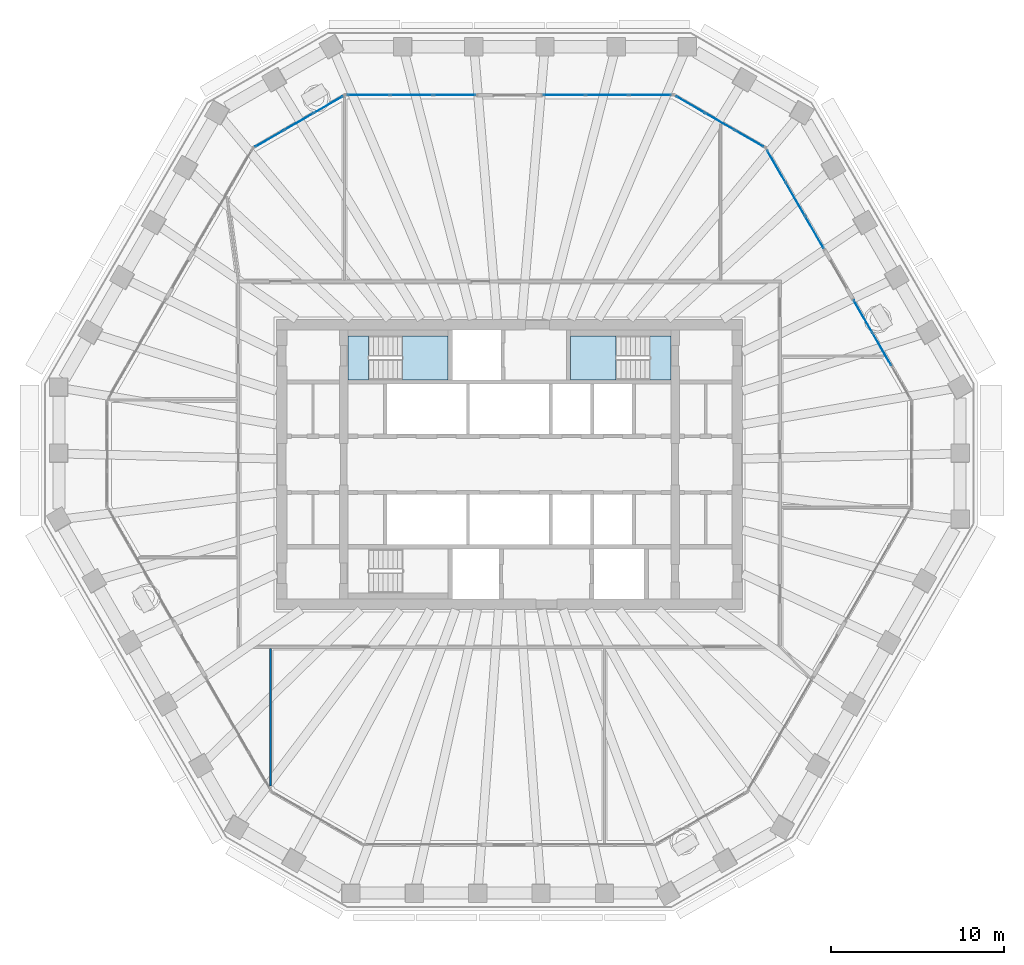
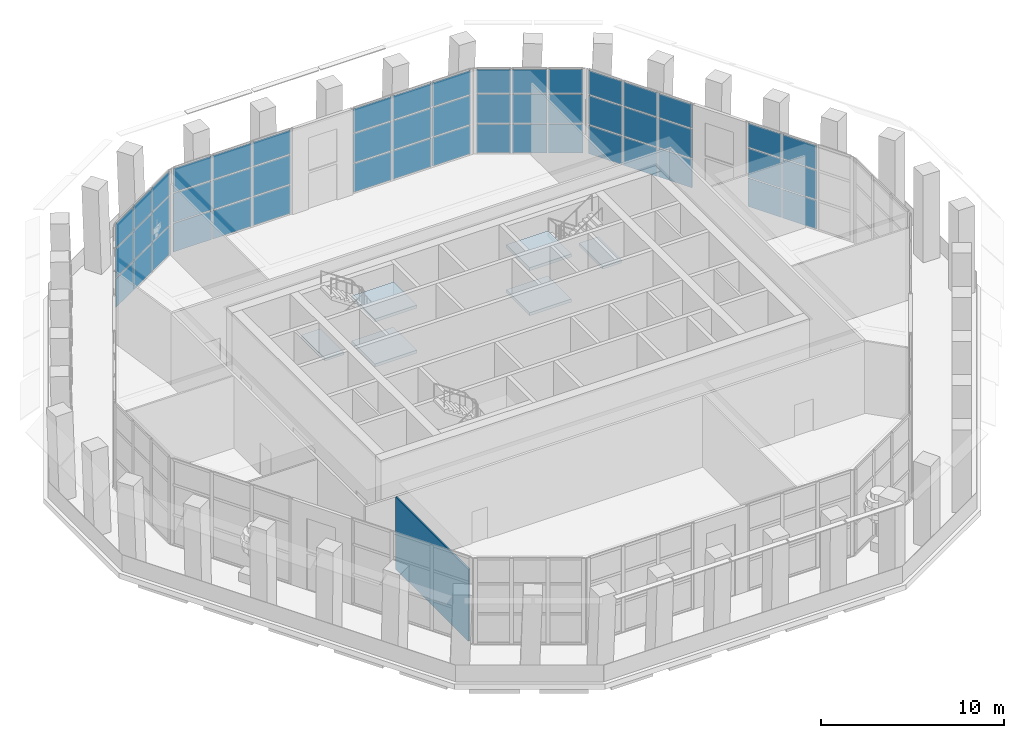
# One storey, part 11 of 19: 51 plates, 6 slabs, 1 wall, 8 elements without a shape of their own.
"""IFC4 building model written with IfcOpenShell, lengths in metres."""

from ifc_helpers import new_model, si_unit, direction, frame, frame_2d, origin, origin_2d, place, context, subcontext, project, spatial, polyline, rectangle, outline, extrude, material, layer, layer_set, type_object, element, aggregate, save


model = new_model("IFC4")

# Units and contexts
model_context = context("Model", 3, precision=1e-05, world=origin(), true_north=direction((0.0, 1.0)))
body_context = subcontext(model_context, "Body", "Model", "MODEL_VIEW")
ifc_project = project(units=[si_unit("LENGTHUNIT", "METRE"), si_unit("AREAUNIT", "SQUARE_METRE"), si_unit("VOLUMEUNIT", "CUBIC_METRE"), si_unit("PLANEANGLEUNIT", "RADIAN"), si_unit("MASSUNIT", "GRAM", prefix="KILO")], contexts=[model_context])

# Site, building, storey
site_placement = place(None, origin())
site = spatial("IfcSite", under=ifc_project, at=site_placement, CompositionType="ELEMENT")
building_placement = place(site_placement, origin())
building = spatial("IfcBuilding", under=site, at=building_placement, Name="Frailejon Research Tower", CompositionType="ELEMENT")
storey_placement = place(building_placement, frame((0.0, 0.0, 231.39990234375)))
storey = spatial("IfcBuildingStorey", under=building, at=storey_placement, Name="L50", CompositionType="ELEMENT", Elevation=231.39990234375)

# Curtain wall, plates
ifc_material_1 = material(Name="Aluminium curtain wall", Category="aluminium")
curtain_wall_type = type_object("IfcCurtainWallType", Name="Sky lobby curtain wall system", PredefinedType="NOTDEFINED", material=ifc_material_1)
curtain_wall_1_placement = place(storey_placement, origin())
curtain_wall_1 = element("IfcCurtainWall", 1, at=curtain_wall_1_placement, inside=storey, type_object=curtain_wall_type, Name="Curtain wall L50", PredefinedType="NOTDEFINED")
ifc_material_2 = material(Name="Clear laminated glass", Category="glass")
ifc_layer_1 = layer(ifc_material_2, 0.031982421875)
ifc_layer_set_1 = layer_set([ifc_layer_1], Name="Sky lobby curtain wall glass panel 32")
plate_type = type_object("IfcPlateType", Name="Sky lobby curtain wall glass panel 32", PredefinedType="CURTAIN_PANEL", material=ifc_layer_set_1)
plate_1_placement = place(storey_placement, frame((21.584228515625, 6.672119140625, 0.070068359375), z_axis=(0.0, 0.0, 1.0), x_axis=(-0.500000064178, 0.866025366731, 0.0)))
plate_1 = element("IfcPlate", 2, at=plate_1_placement, type_object=plate_type, Name="CW4-100 panel 2.1", PredefinedType="CURTAIN_PANEL", context=body_context, shape_type="SweptSolid", body=[
    extrude(rectangle(XDim=2.147216796875, YDim=0.031982421875, at=origin_2d()), origin(), (0.0, 0.0, 1.0), 1.89501953125),
])
plate_2_placement = place(storey_placement, frame((21.584228515625, 6.672119140625, 2.03515625), z_axis=(0.0, 0.0, 1.0), x_axis=(-0.500000064178, 0.866025366731, 0.0)))
plate_2 = element("IfcPlate", 3, at=plate_2_placement, type_object=plate_type, Name="CW4-100 panel 2.2", PredefinedType="CURTAIN_PANEL", context=body_context, shape_type="SweptSolid", body=[
    extrude(rectangle(XDim=2.147216796875, YDim=0.031982421875, at=origin_2d()), origin(), (0.0, 0.0, 1.0), 1.929931640625),
])
plate_3_placement = place(storey_placement, frame((21.584228515625, 6.672119140625, 4.03515625), z_axis=(0.0, 0.0, 1.0), x_axis=(-0.500000064178, 0.866025366731, 0.0)))
plate_3 = element("IfcPlate", 4, at=plate_3_placement, type_object=plate_type, Name="CW4-100 panel 2.3", PredefinedType="CURTAIN_PANEL", context=body_context, shape_type="SweptSolid", body=[
    extrude(rectangle(XDim=2.147216796875, YDim=0.031982421875, at=origin_2d()), origin(), (0.0, 0.0, 1.0), 1.594970703125),
])
plate_4_placement = place(storey_placement, frame((20.484375, 8.5771484375, 0.070068359375), z_axis=(0.0, 0.0, 1.0), x_axis=(-0.500000064178, 0.866025366731, 0.0)))
plate_4 = element("IfcPlate", 5, at=plate_4_placement, type_object=plate_type, Name="CW4-100 panel 3.1", PredefinedType="CURTAIN_PANEL", context=body_context, shape_type="SweptSolid", body=[
    extrude(rectangle(XDim=2.1123046875, YDim=0.031982421875, at=origin_2d()), origin(), (0.0, 0.0, 1.0), 1.89501953125),
])
plate_5_placement = place(storey_placement, frame((20.484375, 8.5771484375, 2.03515625), z_axis=(0.0, 0.0, 1.0), x_axis=(-0.500000064178, 0.866025366731, 0.0)))
plate_5 = element("IfcPlate", 6, at=plate_5_placement, type_object=plate_type, Name="CW4-100 panel 3.2", PredefinedType="CURTAIN_PANEL", context=body_context, shape_type="SweptSolid", body=[
    extrude(rectangle(XDim=2.1123046875, YDim=0.031982421875, at=origin_2d()), origin(), (0.0, 0.0, 1.0), 1.929931640625),
])
plate_6_placement = place(storey_placement, frame((20.484375, 8.5771484375, 4.03515625), z_axis=(0.0, 0.0, 1.0), x_axis=(-0.500000064178, 0.866025366731, 0.0)))
plate_6 = element("IfcPlate", 7, at=plate_6_placement, type_object=plate_type, Name="CW4-100 panel 3.3", PredefinedType="CURTAIN_PANEL", context=body_context, shape_type="SweptSolid", body=[
    extrude(rectangle(XDim=2.1123046875, YDim=0.031982421875, at=origin_2d()), origin(), (0.0, 0.0, 1.0), 1.594970703125),
])
aggregate(curtain_wall_1, [plate_1, plate_2, plate_3, plate_4, plate_5, plate_6])

curtain_wall_2_placement = place(storey_placement, origin())
curtain_wall_2 = element("IfcCurtainWall", 8, at=curtain_wall_2_placement, inside=storey, type_object=curtain_wall_type, Name="Curtain wall L50", PredefinedType="NOTDEFINED")
plate_7_placement = place(storey_placement, frame((17.670166015625, 13.451416015625, 0.070068359375), z_axis=(0.0, 0.0, 1.0), x_axis=(-0.500000064178, 0.866025366731, 0.0)))
plate_7 = element("IfcPlate", 9, at=plate_7_placement, type_object=plate_type, Name="CW4-101 panel 1.1", PredefinedType="CURTAIN_PANEL", context=body_context, shape_type="SweptSolid", body=[
    extrude(rectangle(XDim=2.1123046875, YDim=0.031982421875, at=origin_2d()), origin(), (0.0, 0.0, 1.0), 1.89501953125),
])
plate_8_placement = place(storey_placement, frame((17.670166015625, 13.451416015625, 2.03515625), z_axis=(0.0, 0.0, 1.0), x_axis=(-0.500000064178, 0.866025366731, 0.0)))
plate_8 = element("IfcPlate", 10, at=plate_8_placement, type_object=plate_type, Name="CW4-101 panel 1.2", PredefinedType="CURTAIN_PANEL", context=body_context, shape_type="SweptSolid", body=[
    extrude(rectangle(XDim=2.1123046875, YDim=0.031982421875, at=origin_2d()), origin(), (0.0, 0.0, 1.0), 1.929931640625),
])
plate_9_placement = place(storey_placement, frame((17.670166015625, 13.451416015625, 4.03515625), z_axis=(0.0, 0.0, 1.0), x_axis=(-0.500000064178, 0.866025366731, 0.0)))
plate_9 = element("IfcPlate", 11, at=plate_9_placement, type_object=plate_type, Name="CW4-101 panel 1.3", PredefinedType="CURTAIN_PANEL", context=body_context, shape_type="SweptSolid", body=[
    extrude(rectangle(XDim=2.1123046875, YDim=0.031982421875, at=origin_2d()), origin(), (0.0, 0.0, 1.0), 1.594970703125),
])
plate_10_placement = place(storey_placement, frame((16.5703125, 15.3564453125, 0.070068359375), z_axis=(0.0, 0.0, 1.0), x_axis=(-0.500000064178, 0.866025366731, 0.0)))
plate_10 = element("IfcPlate", 12, at=plate_10_placement, type_object=plate_type, Name="CW4-101 panel 2.1", PredefinedType="CURTAIN_PANEL", context=body_context, shape_type="SweptSolid", body=[
    extrude(rectangle(XDim=2.147216796875, YDim=0.031982421875, at=origin_2d()), origin(), (0.0, 0.0, 1.0), 1.89501953125),
])
plate_11_placement = place(storey_placement, frame((16.5703125, 15.3564453125, 2.03515625), z_axis=(0.0, 0.0, 1.0), x_axis=(-0.500000064178, 0.866025366731, 0.0)))
plate_11 = element("IfcPlate", 13, at=plate_11_placement, type_object=plate_type, Name="CW4-101 panel 2.2", PredefinedType="CURTAIN_PANEL", context=body_context, shape_type="SweptSolid", body=[
    extrude(rectangle(XDim=2.147216796875, YDim=0.031982421875, at=origin_2d()), origin(), (0.0, 0.0, 1.0), 1.929931640625),
])
plate_12_placement = place(storey_placement, frame((16.5703125, 15.3564453125, 4.03515625), z_axis=(0.0, 0.0, 1.0), x_axis=(-0.500000064178, 0.866025366731, 0.0)))
plate_12 = element("IfcPlate", 14, at=plate_12_placement, type_object=plate_type, Name="CW4-101 panel 2.3", PredefinedType="CURTAIN_PANEL", context=body_context, shape_type="SweptSolid", body=[
    extrude(rectangle(XDim=2.147216796875, YDim=0.031982421875, at=origin_2d()), origin(), (0.0, 0.0, 1.0), 1.594970703125),
])
plate_13_placement = place(storey_placement, frame((15.470458984375, 17.26171875, 0.070068359375), z_axis=(0.0, 0.0, 1.0), x_axis=(-0.500000064178, 0.866025366731, 0.0)))
plate_13 = element("IfcPlate", 15, at=plate_13_placement, type_object=plate_type, Name="CW4-101 panel 3.1", PredefinedType="CURTAIN_PANEL", context=body_context, shape_type="SweptSolid", body=[
    extrude(rectangle(XDim=2.1123046875, YDim=0.031982421875, at=origin_2d()), origin(), (0.0, 0.0, 1.0), 1.89501953125),
])
plate_14_placement = place(storey_placement, frame((15.470458984375, 17.26171875, 2.03515625), z_axis=(0.0, 0.0, 1.0), x_axis=(-0.500000064178, 0.866025366731, 0.0)))
plate_14 = element("IfcPlate", 16, at=plate_14_placement, type_object=plate_type, Name="CW4-101 panel 3.2", PredefinedType="CURTAIN_PANEL", context=body_context, shape_type="SweptSolid", body=[
    extrude(rectangle(XDim=2.1123046875, YDim=0.031982421875, at=origin_2d()), origin(), (0.0, 0.0, 1.0), 1.929931640625),
])
plate_15_placement = place(storey_placement, frame((15.470458984375, 17.26171875, 4.03515625), z_axis=(0.0, 0.0, 1.0), x_axis=(-0.500000064178, 0.866025366731, 0.0)))
plate_15 = element("IfcPlate", 17, at=plate_15_placement, type_object=plate_type, Name="CW4-101 panel 3.3", PredefinedType="CURTAIN_PANEL", context=body_context, shape_type="SweptSolid", body=[
    extrude(rectangle(XDim=2.1123046875, YDim=0.031982421875, at=origin_2d()), origin(), (0.0, 0.0, 1.0), 1.594970703125),
])
aggregate(curtain_wall_2, [plate_7, plate_8, plate_9, plate_10, plate_11, plate_12, plate_13, plate_14, plate_15])

curtain_wall_3_placement = place(storey_placement, origin())
curtain_wall_3 = element("IfcCurtainWall", 18, at=curtain_wall_3_placement, inside=storey, type_object=curtain_wall_type, Name="Curtain wall L50", PredefinedType="NOTDEFINED")
plate_16_placement = place(storey_placement, frame((13.896240234375, 18.87841796875, 0.070068359375), z_axis=(0.0, 0.0, 1.0), x_axis=(-0.866019136623, 0.500010854885, 0.0)))
plate_16 = element("IfcPlate", 19, at=plate_16_placement, type_object=plate_type, Name="CW4-102 panel 1.1", PredefinedType="CURTAIN_PANEL", context=body_context, shape_type="SweptSolid", body=[
    extrude(rectangle(XDim=1.87939453125, YDim=0.031982421875, at=origin_2d()), origin(), (0.0, 0.0, 1.0), 1.89501953125),
])
plate_17_placement = place(storey_placement, frame((13.896240234375, 18.87841796875, 2.03515625), z_axis=(0.0, 0.0, 1.0), x_axis=(-0.866019136623, 0.500010854885, 0.0)))
plate_17 = element("IfcPlate", 20, at=plate_17_placement, type_object=plate_type, Name="CW4-102 panel 1.2", PredefinedType="CURTAIN_PANEL", context=body_context, shape_type="SweptSolid", body=[
    extrude(rectangle(XDim=1.87939453125, YDim=0.031982421875, at=origin_2d()), origin(), (0.0, 0.0, 1.0), 1.929931640625),
])
plate_18_placement = place(storey_placement, frame((13.896240234375, 18.87841796875, 4.03515625), z_axis=(0.0, 0.0, 1.0), x_axis=(-0.866019136623, 0.500010854885, 0.0)))
plate_18 = element("IfcPlate", 21, at=plate_18_placement, type_object=plate_type, Name="CW4-102 panel 1.3", PredefinedType="CURTAIN_PANEL", context=body_context, shape_type="SweptSolid", body=[
    extrude(rectangle(XDim=1.87939453125, YDim=0.031982421875, at=origin_2d()), origin(), (0.0, 0.0, 1.0), 1.594970703125),
])
plate_19_placement = place(storey_placement, frame((12.19287109375, 19.86181640625, 0.070068359375), z_axis=(0.0, 0.0, 1.0), x_axis=(-0.866019136623, 0.500010854885, 0.0)))
plate_19 = element("IfcPlate", 22, at=plate_19_placement, type_object=plate_type, Name="CW4-102 panel 2.1", PredefinedType="CURTAIN_PANEL", context=body_context, shape_type="SweptSolid", body=[
    extrude(rectangle(XDim=1.914306640625, YDim=0.031982421875, at=origin_2d()), origin(), (0.0, 0.0, 1.0), 1.89501953125),
])
plate_20_placement = place(storey_placement, frame((12.19287109375, 19.86181640625, 2.03515625), z_axis=(0.0, 0.0, 1.0), x_axis=(-0.866019136623, 0.500010854885, 0.0)))
plate_20 = element("IfcPlate", 23, at=plate_20_placement, type_object=plate_type, Name="CW4-102 panel 2.2", PredefinedType="CURTAIN_PANEL", context=body_context, shape_type="SweptSolid", body=[
    extrude(rectangle(XDim=1.914306640625, YDim=0.031982421875, at=origin_2d()), origin(), (0.0, 0.0, 1.0), 1.929931640625),
])
plate_21_placement = place(storey_placement, frame((12.19287109375, 19.86181640625, 4.03515625), z_axis=(0.0, 0.0, 1.0), x_axis=(-0.866019136623, 0.500010854885, 0.0)))
plate_21 = element("IfcPlate", 24, at=plate_21_placement, type_object=plate_type, Name="CW4-102 panel 2.3", PredefinedType="CURTAIN_PANEL", context=body_context, shape_type="SweptSolid", body=[
    extrude(rectangle(XDim=1.914306640625, YDim=0.031982421875, at=origin_2d()), origin(), (0.0, 0.0, 1.0), 1.594970703125),
])
plate_22_placement = place(storey_placement, frame((10.48974609375, 20.84521484375, 0.070068359375), z_axis=(0.0, 0.0, 1.0), x_axis=(-0.866019136623, 0.500010854885, 0.0)))
plate_22 = element("IfcPlate", 25, at=plate_22_placement, type_object=plate_type, Name="CW4-102 panel 3.1", PredefinedType="CURTAIN_PANEL", context=body_context, shape_type="SweptSolid", body=[
    extrude(rectangle(XDim=1.87939453125, YDim=0.031982421875, at=origin_2d()), origin(), (0.0, 0.0, 1.0), 1.89501953125),
])
plate_23_placement = place(storey_placement, frame((10.48974609375, 20.84521484375, 2.03515625), z_axis=(0.0, 0.0, 1.0), x_axis=(-0.866019136623, 0.500010854885, 0.0)))
plate_23 = element("IfcPlate", 26, at=plate_23_placement, type_object=plate_type, Name="CW4-102 panel 3.2", PredefinedType="CURTAIN_PANEL", context=body_context, shape_type="SweptSolid", body=[
    extrude(rectangle(XDim=1.87939453125, YDim=0.031982421875, at=origin_2d()), origin(), (0.0, 0.0, 1.0), 1.929931640625),
])
plate_24_placement = place(storey_placement, frame((10.48974609375, 20.84521484375, 4.03515625), z_axis=(0.0, 0.0, 1.0), x_axis=(-0.866019136623, 0.500010854885, 0.0)))
plate_24 = element("IfcPlate", 27, at=plate_24_placement, type_object=plate_type, Name="CW4-102 panel 3.3", PredefinedType="CURTAIN_PANEL", context=body_context, shape_type="SweptSolid", body=[
    extrude(rectangle(XDim=1.87939453125, YDim=0.031982421875, at=origin_2d()), origin(), (0.0, 0.0, 1.0), 1.594970703125),
])
aggregate(curtain_wall_3, [plate_16, plate_17, plate_18, plate_19, plate_20, plate_21, plate_22, plate_23, plate_24])

curtain_wall_4_placement = place(storey_placement, origin())
curtain_wall_4 = element("IfcCurtainWall", 28, at=curtain_wall_4_placement, inside=storey, type_object=curtain_wall_type, Name="Curtain wall L50", PredefinedType="NOTDEFINED")
plate_25_placement = place(storey_placement, frame((8.157470703125, 21.39990234375, 0.070068359375), z_axis=(0.0, 0.0, 1.0), x_axis=(-1.0, 0.0, 0.0)))
plate_25 = element("IfcPlate", 29, at=plate_25_placement, type_object=plate_type, Name="CW4-103 panel 1.1", PredefinedType="CURTAIN_PANEL", context=body_context, shape_type="SweptSolid", body=[
    extrude(rectangle(XDim=2.402587890625, YDim=0.031982421875, at=origin_2d()), origin(), (0.0, 0.0, 1.0), 1.89501953125),
])
plate_26_placement = place(storey_placement, frame((8.157470703125, 21.39990234375, 2.03515625), z_axis=(0.0, 0.0, 1.0), x_axis=(-1.0, 0.0, 0.0)))
plate_26 = element("IfcPlate", 30, at=plate_26_placement, type_object=plate_type, Name="CW4-103 panel 1.2", PredefinedType="CURTAIN_PANEL", context=body_context, shape_type="SweptSolid", body=[
    extrude(rectangle(XDim=2.402587890625, YDim=0.031982421875, at=origin_2d()), origin(), (0.0, 0.0, 1.0), 1.929931640625),
])
plate_27_placement = place(storey_placement, frame((8.157470703125, 21.39990234375, 4.03515625), z_axis=(0.0, 0.0, 1.0), x_axis=(-1.0, 0.0, 0.0)))
plate_27 = element("IfcPlate", 31, at=plate_27_placement, type_object=plate_type, Name="CW4-103 panel 1.3", PredefinedType="CURTAIN_PANEL", context=body_context, shape_type="SweptSolid", body=[
    extrude(rectangle(XDim=2.402587890625, YDim=0.031982421875, at=origin_2d()), origin(), (0.0, 0.0, 1.0), 1.594970703125),
])
plate_28_placement = place(storey_placement, frame((5.667236328125, 21.39990234375, 0.070068359375), z_axis=(0.0, 0.0, 1.0), x_axis=(-1.0, 0.0, 0.0)))
plate_28 = element("IfcPlate", 32, at=plate_28_placement, type_object=plate_type, Name="CW4-103 panel 2.1", PredefinedType="CURTAIN_PANEL", context=body_context, shape_type="SweptSolid", body=[
    extrude(rectangle(XDim=2.437744140625, YDim=0.031982421875, at=origin_2d()), origin(), (0.0, 0.0, 1.0), 1.89501953125),
])
plate_29_placement = place(storey_placement, frame((5.667236328125, 21.39990234375, 2.03515625), z_axis=(0.0, 0.0, 1.0), x_axis=(-1.0, 0.0, 0.0)))
plate_29 = element("IfcPlate", 33, at=plate_29_placement, type_object=plate_type, Name="CW4-103 panel 2.2", PredefinedType="CURTAIN_PANEL", context=body_context, shape_type="SweptSolid", body=[
    extrude(rectangle(XDim=2.437744140625, YDim=0.031982421875, at=origin_2d()), origin(), (0.0, 0.0, 1.0), 1.929931640625),
])
plate_30_placement = place(storey_placement, frame((5.667236328125, 21.39990234375, 4.03515625), z_axis=(0.0, 0.0, 1.0), x_axis=(-1.0, 0.0, 0.0)))
plate_30 = element("IfcPlate", 34, at=plate_30_placement, type_object=plate_type, Name="CW4-103 panel 2.3", PredefinedType="CURTAIN_PANEL", context=body_context, shape_type="SweptSolid", body=[
    extrude(rectangle(XDim=2.437744140625, YDim=0.031982421875, at=origin_2d()), origin(), (0.0, 0.0, 1.0), 1.594970703125),
])
plate_31_placement = place(storey_placement, frame((3.177001953125, 21.39990234375, 0.070068359375), z_axis=(0.0, 0.0, 1.0), x_axis=(-1.0, 0.0, 0.0)))
plate_31 = element("IfcPlate", 35, at=plate_31_placement, type_object=plate_type, Name="CW4-103 panel 3.1", PredefinedType="CURTAIN_PANEL", context=body_context, shape_type="SweptSolid", body=[
    extrude(rectangle(XDim=2.402587890625, YDim=0.031982421875, at=origin_2d()), origin(), (0.0, 0.0, 1.0), 1.89501953125),
])
plate_32_placement = place(storey_placement, frame((3.177001953125, 21.39990234375, 2.03515625), z_axis=(0.0, 0.0, 1.0), x_axis=(-1.0, 0.0, 0.0)))
plate_32 = element("IfcPlate", 36, at=plate_32_placement, type_object=plate_type, Name="CW4-103 panel 3.2", PredefinedType="CURTAIN_PANEL", context=body_context, shape_type="SweptSolid", body=[
    extrude(rectangle(XDim=2.402587890625, YDim=0.031982421875, at=origin_2d()), origin(), (0.0, 0.0, 1.0), 1.929931640625),
])
plate_33_placement = place(storey_placement, frame((3.177001953125, 21.39990234375, 4.03515625), z_axis=(0.0, 0.0, 1.0), x_axis=(-1.0, 0.0, 0.0)))
plate_33 = element("IfcPlate", 37, at=plate_33_placement, type_object=plate_type, Name="CW4-103 panel 3.3", PredefinedType="CURTAIN_PANEL", context=body_context, shape_type="SweptSolid", body=[
    extrude(rectangle(XDim=2.402587890625, YDim=0.031982421875, at=origin_2d()), origin(), (0.0, 0.0, 1.0), 1.594970703125),
])
aggregate(curtain_wall_4, [plate_25, plate_26, plate_27, plate_28, plate_29, plate_30, plate_31, plate_32, plate_33])

curtain_wall_5_placement = place(storey_placement, origin())
curtain_wall_5 = element("IfcCurtainWall", 38, at=curtain_wall_5_placement, inside=storey, type_object=curtain_wall_type, Name="Curtain wall L50", PredefinedType="NOTDEFINED")
plate_34_placement = place(storey_placement, frame((-3.177001953125, 21.39990234375, 0.070068359375), z_axis=(0.0, 0.0, 1.0), x_axis=(-1.0, 0.0, 0.0)))
plate_34 = element("IfcPlate", 39, at=plate_34_placement, type_object=plate_type, Name="CW4-104 panel 1.1", PredefinedType="CURTAIN_PANEL", context=body_context, shape_type="SweptSolid", body=[
    extrude(rectangle(XDim=2.402587890625, YDim=0.031982421875, at=origin_2d()), origin(), (0.0, 0.0, 1.0), 1.89501953125),
])
plate_35_placement = place(storey_placement, frame((-3.177001953125, 21.39990234375, 2.03515625), z_axis=(0.0, 0.0, 1.0), x_axis=(-1.0, 0.0, 0.0)))
plate_35 = element("IfcPlate", 40, at=plate_35_placement, type_object=plate_type, Name="CW4-104 panel 1.2", PredefinedType="CURTAIN_PANEL", context=body_context, shape_type="SweptSolid", body=[
    extrude(rectangle(XDim=2.402587890625, YDim=0.031982421875, at=origin_2d()), origin(), (0.0, 0.0, 1.0), 1.929931640625),
])
plate_36_placement = place(storey_placement, frame((-3.177001953125, 21.39990234375, 4.03515625), z_axis=(0.0, 0.0, 1.0), x_axis=(-1.0, 0.0, 0.0)))
plate_36 = element("IfcPlate", 41, at=plate_36_placement, type_object=plate_type, Name="CW4-104 panel 1.3", PredefinedType="CURTAIN_PANEL", context=body_context, shape_type="SweptSolid", body=[
    extrude(rectangle(XDim=2.402587890625, YDim=0.031982421875, at=origin_2d()), origin(), (0.0, 0.0, 1.0), 1.594970703125),
])
plate_37_placement = place(storey_placement, frame((-5.667236328125, 21.39990234375, 0.070068359375), z_axis=(0.0, 0.0, 1.0), x_axis=(-1.0, 0.0, 0.0)))
plate_37 = element("IfcPlate", 42, at=plate_37_placement, type_object=plate_type, Name="CW4-104 panel 2.1", PredefinedType="CURTAIN_PANEL", context=body_context, shape_type="SweptSolid", body=[
    extrude(rectangle(XDim=2.437744140625, YDim=0.031982421875, at=origin_2d()), origin(), (0.0, 0.0, 1.0), 1.89501953125),
])
plate_38_placement = place(storey_placement, frame((-5.667236328125, 21.39990234375, 2.03515625), z_axis=(0.0, 0.0, 1.0), x_axis=(-1.0, 0.0, 0.0)))
plate_38 = element("IfcPlate", 43, at=plate_38_placement, type_object=plate_type, Name="CW4-104 panel 2.2", PredefinedType="CURTAIN_PANEL", context=body_context, shape_type="SweptSolid", body=[
    extrude(rectangle(XDim=2.437744140625, YDim=0.031982421875, at=origin_2d()), origin(), (0.0, 0.0, 1.0), 1.929931640625),
])
plate_39_placement = place(storey_placement, frame((-5.667236328125, 21.39990234375, 4.03515625), z_axis=(0.0, 0.0, 1.0), x_axis=(-1.0, 0.0, 0.0)))
plate_39 = element("IfcPlate", 44, at=plate_39_placement, type_object=plate_type, Name="CW4-104 panel 2.3", PredefinedType="CURTAIN_PANEL", context=body_context, shape_type="SweptSolid", body=[
    extrude(rectangle(XDim=2.437744140625, YDim=0.031982421875, at=origin_2d()), origin(), (0.0, 0.0, 1.0), 1.594970703125),
])
plate_40_placement = place(storey_placement, frame((-8.157470703125, 21.39990234375, 0.070068359375), z_axis=(0.0, 0.0, 1.0), x_axis=(-1.0, 0.0, 0.0)))
plate_40 = element("IfcPlate", 45, at=plate_40_placement, type_object=plate_type, Name="CW4-104 panel 3.1", PredefinedType="CURTAIN_PANEL", context=body_context, shape_type="SweptSolid", body=[
    extrude(rectangle(XDim=2.402587890625, YDim=0.031982421875, at=origin_2d()), origin(), (0.0, 0.0, 1.0), 1.89501953125),
])
plate_41_placement = place(storey_placement, frame((-8.157470703125, 21.39990234375, 2.03515625), z_axis=(0.0, 0.0, 1.0), x_axis=(-1.0, 0.0, 0.0)))
plate_41 = element("IfcPlate", 46, at=plate_41_placement, type_object=plate_type, Name="CW4-104 panel 3.2", PredefinedType="CURTAIN_PANEL", context=body_context, shape_type="SweptSolid", body=[
    extrude(rectangle(XDim=2.402587890625, YDim=0.031982421875, at=origin_2d()), origin(), (0.0, 0.0, 1.0), 1.929931640625),
])
plate_42_placement = place(storey_placement, frame((-8.157470703125, 21.39990234375, 4.03515625), z_axis=(0.0, 0.0, 1.0), x_axis=(-1.0, 0.0, 0.0)))
plate_42 = element("IfcPlate", 47, at=plate_42_placement, type_object=plate_type, Name="CW4-104 panel 3.3", PredefinedType="CURTAIN_PANEL", context=body_context, shape_type="SweptSolid", body=[
    extrude(rectangle(XDim=2.402587890625, YDim=0.031982421875, at=origin_2d()), origin(), (0.0, 0.0, 1.0), 1.594970703125),
])
aggregate(curtain_wall_5, [plate_34, plate_35, plate_36, plate_37, plate_38, plate_39, plate_40, plate_41, plate_42])

curtain_wall_6_placement = place(storey_placement, origin())
curtain_wall_6 = element("IfcCurtainWall", 48, at=curtain_wall_6_placement, inside=storey, type_object=curtain_wall_type, Name="Curtain wall L50", PredefinedType="NOTDEFINED")
plate_43_placement = place(storey_placement, frame((-10.48974609375, 20.84521484375, 0.070068359375), z_axis=(0.0, 0.0, 1.0), x_axis=(-0.866019136623, -0.500010854885, 0.0)))
plate_43 = element("IfcPlate", 49, at=plate_43_placement, type_object=plate_type, Name="CW4-105 panel 1.1", PredefinedType="CURTAIN_PANEL", context=body_context, shape_type="SweptSolid", body=[
    extrude(rectangle(XDim=1.87939453125, YDim=0.031982421875, at=origin_2d()), origin(), (0.0, 0.0, 1.0), 1.89501953125),
])
plate_44_placement = place(storey_placement, frame((-10.48974609375, 20.84521484375, 2.03515625), z_axis=(0.0, 0.0, 1.0), x_axis=(-0.866019136623, -0.500010854885, 0.0)))
plate_44 = element("IfcPlate", 50, at=plate_44_placement, type_object=plate_type, Name="CW4-105 panel 1.2", PredefinedType="CURTAIN_PANEL", context=body_context, shape_type="SweptSolid", body=[
    extrude(rectangle(XDim=1.87939453125, YDim=0.031982421875, at=origin_2d()), origin(), (0.0, 0.0, 1.0), 1.929931640625),
])
plate_45_placement = place(storey_placement, frame((-10.48974609375, 20.84521484375, 4.03515625), z_axis=(0.0, 0.0, 1.0), x_axis=(-0.866019136623, -0.500010854885, 0.0)))
plate_45 = element("IfcPlate", 51, at=plate_45_placement, type_object=plate_type, Name="CW4-105 panel 1.3", PredefinedType="CURTAIN_PANEL", context=body_context, shape_type="SweptSolid", body=[
    extrude(rectangle(XDim=1.87939453125, YDim=0.031982421875, at=origin_2d()), origin(), (0.0, 0.0, 1.0), 1.594970703125),
])
plate_46_placement = place(storey_placement, frame((-12.19287109375, 19.86181640625, 0.070068359375), z_axis=(0.0, 0.0, 1.0), x_axis=(-0.866019136623, -0.500010854885, 0.0)))
plate_46 = element("IfcPlate", 52, at=plate_46_placement, type_object=plate_type, Name="CW4-105 panel 2.1", PredefinedType="CURTAIN_PANEL", context=body_context, shape_type="SweptSolid", body=[
    extrude(rectangle(XDim=1.914306640625, YDim=0.031982421875, at=origin_2d()), origin(), (0.0, 0.0, 1.0), 1.89501953125),
])
plate_47_placement = place(storey_placement, frame((-12.19287109375, 19.86181640625, 2.03515625), z_axis=(0.0, 0.0, 1.0), x_axis=(-0.866019136623, -0.500010854885, 0.0)))
plate_47 = element("IfcPlate", 53, at=plate_47_placement, type_object=plate_type, Name="CW4-105 panel 2.2", PredefinedType="CURTAIN_PANEL", context=body_context, shape_type="SweptSolid", body=[
    extrude(rectangle(XDim=1.914306640625, YDim=0.031982421875, at=origin_2d()), origin(), (0.0, 0.0, 1.0), 1.929931640625),
])
plate_48_placement = place(storey_placement, frame((-12.19287109375, 19.86181640625, 4.03515625), z_axis=(0.0, 0.0, 1.0), x_axis=(-0.866019136623, -0.500010854885, 0.0)))
plate_48 = element("IfcPlate", 54, at=plate_48_placement, type_object=plate_type, Name="CW4-105 panel 2.3", PredefinedType="CURTAIN_PANEL", context=body_context, shape_type="SweptSolid", body=[
    extrude(rectangle(XDim=1.914306640625, YDim=0.031982421875, at=origin_2d()), origin(), (0.0, 0.0, 1.0), 1.594970703125),
])
plate_49_placement = place(storey_placement, frame((-13.896240234375, 18.87841796875, 0.070068359375), z_axis=(0.0, 0.0, 1.0), x_axis=(-0.866019136623, -0.500010854885, 0.0)))
plate_49 = element("IfcPlate", 55, at=plate_49_placement, type_object=plate_type, Name="CW4-105 panel 3.1", PredefinedType="CURTAIN_PANEL", context=body_context, shape_type="SweptSolid", body=[
    extrude(rectangle(XDim=1.87939453125, YDim=0.031982421875, at=origin_2d()), origin(), (0.0, 0.0, 1.0), 1.89501953125),
])
plate_50_placement = place(storey_placement, frame((-13.896240234375, 18.87841796875, 2.03515625), z_axis=(0.0, 0.0, 1.0), x_axis=(-0.866019136623, -0.500010854885, 0.0)))
plate_50 = element("IfcPlate", 56, at=plate_50_placement, type_object=plate_type, Name="CW4-105 panel 3.2", PredefinedType="CURTAIN_PANEL", context=body_context, shape_type="SweptSolid", body=[
    extrude(rectangle(XDim=1.87939453125, YDim=0.031982421875, at=origin_2d()), origin(), (0.0, 0.0, 1.0), 1.929931640625),
])
plate_51_placement = place(storey_placement, frame((-13.896240234375, 18.87841796875, 4.03515625), z_axis=(0.0, 0.0, 1.0), x_axis=(-0.866019136623, -0.500010854885, 0.0)))
plate_51 = element("IfcPlate", 57, at=plate_51_placement, type_object=plate_type, Name="CW4-105 panel 3.3", PredefinedType="CURTAIN_PANEL", context=body_context, shape_type="SweptSolid", body=[
    extrude(rectangle(XDim=1.87939453125, YDim=0.031982421875, at=origin_2d()), origin(), (0.0, 0.0, 1.0), 1.594970703125),
])
aggregate(curtain_wall_6, [plate_43, plate_44, plate_45, plate_46, plate_47, plate_48, plate_49, plate_50, plate_51])

# Stair, slabs
ifc_material_3 = material(Name="Concrete C50/60", Category="concrete")
stair_type = type_object("IfcStairType", Name="Exit stair 32 risers", PredefinedType="HALF_TURN_STAIR", material=ifc_material_3)
stair_1_placement = place(storey_placement, origin())
stair_1 = element("IfcStair", 58, at=stair_1_placement, inside=storey, type_object=stair_type, Name="L50 Exit stair ST1", PredefinedType="HALF_TURN_STAIR")
ifc_material_4 = material(Name="Concrete C50/60", Category="concrete")
ifc_layer_2 = layer(ifc_material_4, 0.199951171875)
ifc_layer_set_2 = layer_set([ifc_layer_2], Name="Stair landing slab 200")
slab_type = type_object("IfcSlabType", Name="Stair landing slab 200", PredefinedType="LANDING", material=ifc_layer_set_2)
slab_1_placement = place(storey_placement, frame((0.0, 0.0, 1.300048828125)))
slab_1 = element("IfcSlab", 59, at=slab_1_placement, type_object=slab_type, Name="ST1 landing 1", PredefinedType="LANDING", context=body_context, shape_type="SweptSolid", body=[
    extrude(outline(polyline([(-6.18994140625, 4.89990234375), (-3.550048828125, 4.89990234375), (-3.550048828125, 7.449951171875), (-6.18994140625, 7.449951171875), (-6.18994140625, 4.89990234375)])), origin(), (0.0, 0.0, 1.0), 0.199951171875),
])
slab_2_placement = place(storey_placement, frame((0.0, 0.0, 2.800048828125)))
slab_2 = element("IfcSlab", 60, at=slab_2_placement, type_object=slab_type, Name="ST1 landing 2", PredefinedType="LANDING", context=body_context, shape_type="SweptSolid", body=[
    extrude(outline(polyline([(-9.35009765625, 4.89990234375), (-8.14990234375, 4.89990234375), (-8.14990234375, 7.449951171875), (-9.35009765625, 7.449951171875), (-9.35009765625, 4.89990234375)])), origin(), (0.0, 0.0, 1.0), 0.199951171875),
])
slab_3_placement = place(storey_placement, frame((0.0, 0.0, 4.300048828125)))
slab_3 = element("IfcSlab", 61, at=slab_3_placement, type_object=slab_type, Name="ST1 landing 3", PredefinedType="LANDING", context=body_context, shape_type="SweptSolid", body=[
    extrude(outline(polyline([(-6.18994140625, 4.89990234375), (-3.550048828125, 4.89990234375), (-3.550048828125, 7.449951171875), (-6.18994140625, 7.449951171875), (-6.18994140625, 4.89990234375)])), origin(), (0.0, 0.0, 1.0), 0.199951171875),
])
aggregate(stair_1, [slab_1, slab_2, slab_3])

stair_2_placement = place(storey_placement, origin())
stair_2 = element("IfcStair", 62, at=stair_2_placement, inside=storey, type_object=stair_type, Name="L50 Exit stair ST3", PredefinedType="HALF_TURN_STAIR")
slab_4_placement = place(storey_placement, frame((0.0, 0.0, 1.300048828125)))
slab_4 = element("IfcSlab", 63, at=slab_4_placement, type_object=slab_type, Name="ST3 landing 1", PredefinedType="LANDING", context=body_context, shape_type="SweptSolid", body=[
    extrude(outline(polyline([(6.18994140625, 7.449951171875), (3.550048828125, 7.449951171875), (3.550048828125, 4.89990234375), (6.18994140625, 4.89990234375), (6.18994140625, 7.449951171875)])), origin(), (0.0, 0.0, 1.0), 0.199951171875),
])
slab_5_placement = place(storey_placement, frame((0.0, 0.0, 2.800048828125)))
slab_5 = element("IfcSlab", 64, at=slab_5_placement, type_object=slab_type, Name="ST3 landing 2", PredefinedType="LANDING", context=body_context, shape_type="SweptSolid", body=[
    extrude(outline(polyline([(9.35009765625, 7.449951171875), (8.14990234375, 7.449951171875), (8.14990234375, 4.89990234375), (9.35009765625, 4.89990234375), (9.35009765625, 7.449951171875)])), origin(), (0.0, 0.0, 1.0), 0.199951171875),
])
slab_6_placement = place(storey_placement, frame((0.0, 0.0, 4.300048828125)))
slab_6 = element("IfcSlab", 65, at=slab_6_placement, type_object=slab_type, Name="ST3 landing 3", PredefinedType="LANDING", context=body_context, shape_type="SweptSolid", body=[
    extrude(outline(polyline([(6.18994140625, 7.449951171875), (3.550048828125, 7.449951171875), (3.550048828125, 4.89990234375), (6.18994140625, 4.89990234375), (6.18994140625, 7.449951171875)])), origin(), (0.0, 0.0, 1.0), 0.199951171875),
])
aggregate(stair_2, [slab_4, slab_5, slab_6])

# Wall
ifc_material_5 = material(Name="Gypsum board and masonry partition", Category="masonry")
ifc_layer_3 = layer(ifc_material_5, 0.10009765625)
ifc_layer_set_3 = layer_set([ifc_layer_3], Name="Partition, gypsum on steel studs 100")
wall_type = type_object("IfcWallType", Name="Partition, gypsum on steel studs 100", PredefinedType="PARTITIONING", material=ifc_layer_set_3)
wall_placement = place(storey_placement, frame((-13.841796875, -18.625244140625, 0.0), z_axis=(0.0, 0.0, 1.0), x_axis=(0.0, 1.0, 0.0)))
element("IfcWall", 66, at=wall_placement, inside=storey, type_object=wall_type, Name="T:IW:L50:012", PredefinedType="PARTITIONING", context=body_context, shape_type="SweptSolid", body=[
    extrude(rectangle(XDim=7.9501953125, YDim=0.10009765625, at=frame_2d((3.97509765625, 0.0))), origin(), (0.0, 0.0, 1.0), 4.800048828125),
])

save(model, "model.ifc")
